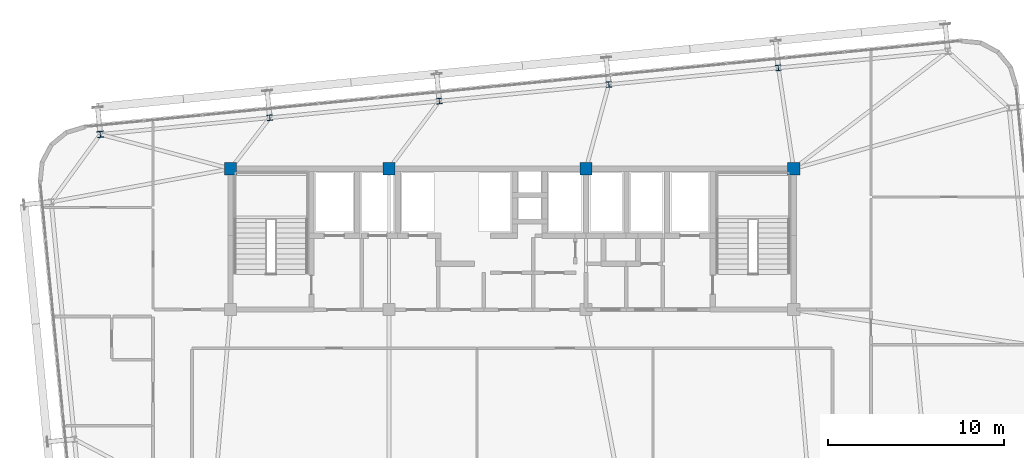
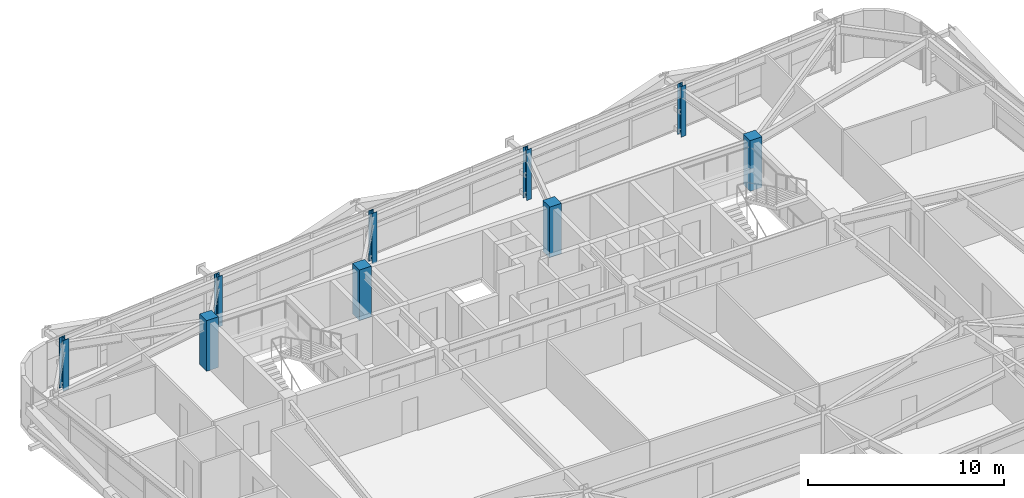
# One storey, part 3 of 53: 9 columns.
"""IFC4 building model written with IfcOpenShell, lengths in metres."""

from ifc_helpers import new_model, si_unit, direction, frame, origin, origin_2d, place, context, subcontext, project, spatial, rectangle, i_section, extrude, source, transform, mapped, material, material_profile, profile_set, type_object, element, save


model = new_model("IFC4")

# Units and contexts
model_context = context("Model", 3, precision=1e-05, world=origin(), true_north=direction((0.0, 1.0)))
body_context = subcontext(model_context, "Body", "Model", "MODEL_VIEW")
ifc_project = project(units=[si_unit("LENGTHUNIT", "METRE"), si_unit("AREAUNIT", "SQUARE_METRE"), si_unit("VOLUMEUNIT", "CUBIC_METRE"), si_unit("PLANEANGLEUNIT", "RADIAN"), si_unit("MASSUNIT", "GRAM", prefix="KILO")], contexts=[model_context])

# Site, building, storey
site_placement = place(None, origin())
site = spatial("IfcSite", under=ifc_project, at=site_placement, CompositionType="ELEMENT")
building_placement = place(site_placement, origin())
building = spatial("IfcBuilding", under=site, at=building_placement, Name="Taldren Reach Tower", CompositionType="ELEMENT")
storey_placement = place(building_placement, frame((0.0, 0.0, 84.0)))
storey = spatial("IfcBuildingStorey", under=building, at=storey_placement, Name="L25", CompositionType="ELEMENT", Elevation=84.0)

# Columns
ifc_material_1 = material(Name="Concrete S65 (65 MPa)", Category="concrete")
ifc_material_profile_1 = material_profile(ifc_material_1, rectangle(XDim=0.699951171875, YDim=0.699951171875, at=origin_2d()), Name="RC-700x700")
ifc_profile_set_1 = profile_set([ifc_material_profile_1], Name="Concrete S65 (65 MPa)")
column_type_1 = type_object("IfcColumnType", Name="COL-RC700", PredefinedType="COLUMN", material=ifc_profile_set_1)
shared_shape_1 = source(origin(), body_context, "Body", "SweptSolid", [
    extrude(rectangle(XDim=0.699951171875, YDim=0.699951171875, at=origin_2d()), origin(), (0.0, 0.0, 1.0), 3.14990234375),
])
for number, where, z_axis, x_axis, name in (
    (1, (19.0, 32.0, 0.0), (0.0, 0.0, 1.0), (1.0, 0.0, 0.0), "Mega column MC-C5 L25"),
    (2, (28.0, 32.0, 0.0), (0.0, 0.0, 1.0), (1.0, 0.0, 0.0), "Mega column MC-C6 L25"),
    (3, (39.199951171875, 32.0, 0.0), (0.0, 0.0, 1.0), (1.0, 0.0, 0.0), "Mega column MC-C7 L25"),
    (4, (51.0, 32.0, 0.0), (0.0, 0.0, 1.0), (1.0, 0.0, 0.0), "Mega column MC-C8 L25"),
):
    element("IfcColumn", number, at=place(storey_placement, frame(where, z_axis=z_axis, x_axis=x_axis)), inside=storey, type_object=column_type_1, Name=name, PredefinedType="COLUMN", context=body_context, shape_type="MappedRepresentation", body=[
        mapped(shared_shape_1, transform((0.0, 0.0, 0.0), scale=1.0)),
    ])
ifc_material_2 = material(Name="Steel Gr 350 (350PLUS)", Category="steel")
ifc_material_profile_2 = material_profile(ifc_material_2, i_section(OverallWidth=0.35009765625, OverallDepth=0.35595703125, WebThickness=0.01806640625, FlangeThickness=0.028076171875, at=origin_2d()), Name="350WC197")
ifc_profile_set_2 = profile_set([ifc_material_profile_2], Name="Steel Gr 350 (350PLUS)")
column_type_2 = type_object("IfcColumnType", Name="COL-WC350", PredefinedType="COLUMN", material=ifc_profile_set_2)
shared_shape_2 = source(origin(), body_context, "Body", "SweptSolid", [
    extrude(i_section(OverallWidth=0.35009765625, OverallDepth=0.35595703125, WebThickness=0.01806640625, FlangeThickness=0.028076171875, at=origin_2d()), origin(), (0.0, 0.0, 1.0), 3.14990234375),
])
column_placement = place(storey_placement, frame((11.596923828125, 33.956787109375, 0.0), z_axis=(0.0, 0.0, 1.0), x_axis=(0.995227399982, 0.097582899759, 0.0)))
element("IfcColumn", 5, at=column_placement, inside=storey, type_object=column_type_2, Name="Block B2 perimeter column N1 L25", PredefinedType="COLUMN", context=body_context, shape_type="MappedRepresentation", body=[
    mapped(shared_shape_2, transform((0.0, 0.0, 0.0), scale=1.0)),
])
ifc_material_profile_3 = material_profile(ifc_material_2, i_section(OverallWidth=0.306884765625, OverallDepth=0.31494140625, WebThickness=0.011962890625, FlangeThickness=0.018798828125, at=origin_2d()), Name="310UC118")
ifc_profile_set_3 = profile_set([ifc_material_profile_3], Name="Steel Gr 350 (350PLUS)")
column_type_3 = type_object("IfcColumnType", Name="COL-UC310B", PredefinedType="COLUMN", material=ifc_profile_set_3)
shared_shape_3 = source(origin(), body_context, "Body", "SweptSolid", [
    extrude(i_section(OverallWidth=0.306884765625, OverallDepth=0.31494140625, WebThickness=0.011962890625, FlangeThickness=0.018798828125, at=origin_2d()), origin(), (0.0, 0.0, 1.0), 3.14990234375),
])
for number, where, z_axis, x_axis, name in (
    (6, (21.230712890625, 34.9013671875, 0.0), (0.0, 0.0, 1.0), (0.995227399982, 0.097582899759, 0.0), "Block B2 perimeter column N2 L25"),
    (7, (30.864501953125, 35.84619140625, 0.0), (0.0, 0.0, 1.0), (0.995227399982, 0.097582899759, 0.0), "Block B2 perimeter column N3 L25"),
    (8, (40.498291015625, 36.790771484375, 0.0), (0.0, 0.0, 1.0), (0.995227399982, 0.097582899759, 0.0), "Block B2 perimeter column N4 L25"),
    (9, (50.132080078125, 37.7353515625, 0.0), (0.0, 0.0, 1.0), (0.995227399982, 0.097582899759, 0.0), "Block B2 perimeter column N5 L25"),
):
    element("IfcColumn", number, at=place(storey_placement, frame(where, z_axis=z_axis, x_axis=x_axis)), inside=storey, type_object=column_type_3, Name=name, PredefinedType="COLUMN", context=body_context, shape_type="MappedRepresentation", body=[
        mapped(shared_shape_3, transform((0.0, 0.0, 0.0), scale=1.0)),
    ])

save(model, "model.ifc")
